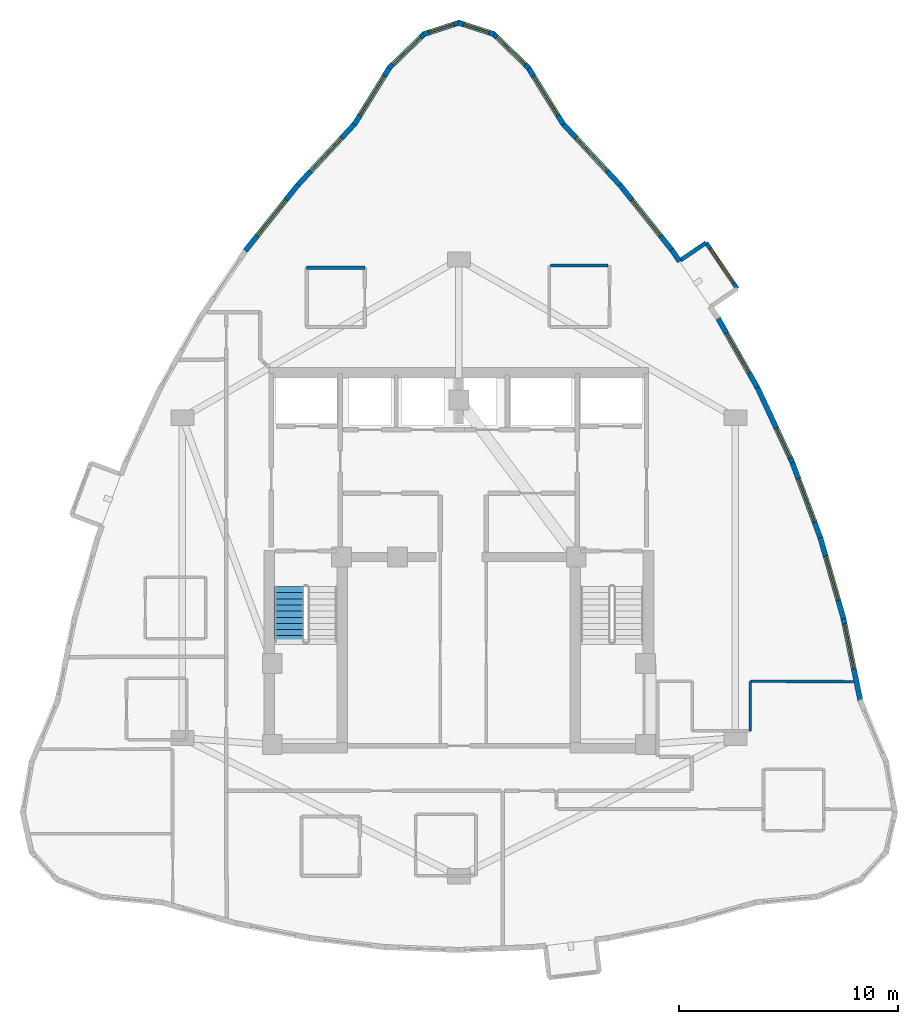
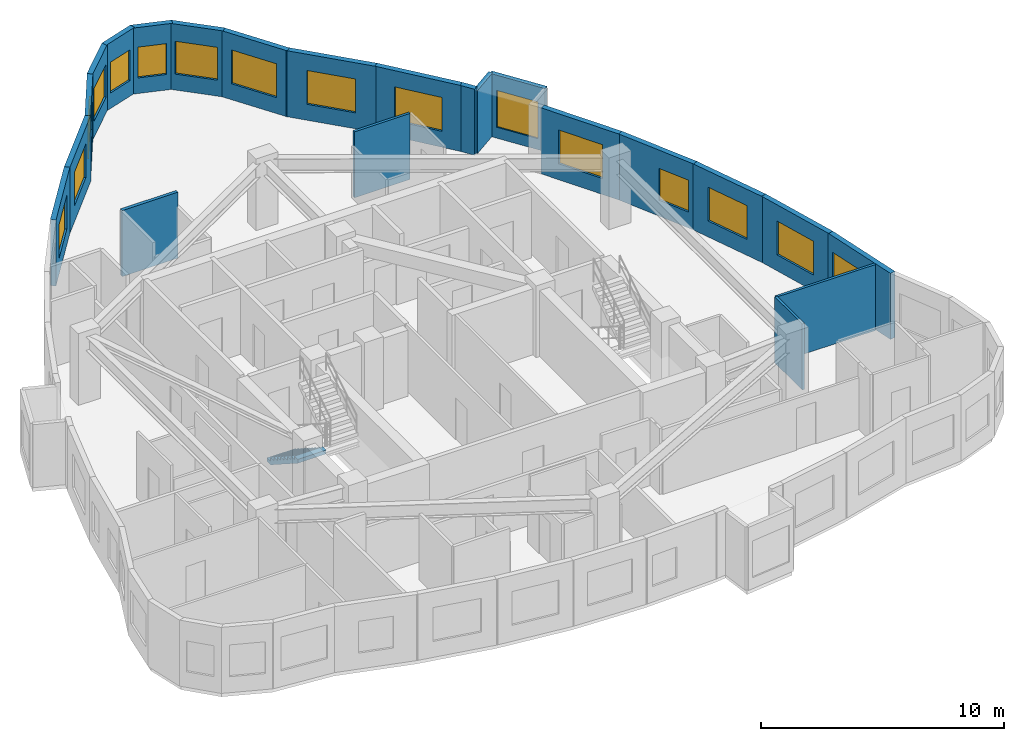
# One storey, part 10 of 12: 22 walls, 16 windows, 1 stair flight, 16 openings, 1 element without a shape of its own.
"""IFC4 building model written with IfcOpenShell, lengths in metres."""

import ifcopenshell
import ifcopenshell.guid

model = None  # the IFC model being written
_history = None  # IfcOwnerHistory: only IFC2X3 demands one
_inside = {}  # id of a spatial element -> (the spatial element, [elements in it])
_under = {}  # id of a project, library or spatial element -> (it, [spatial elements below it])
_declared = {}  # id of a project -> (the project, [libraries it declares])
_typed = {}  # id of a type object -> (the type object, [elements of that type])
_made_of = {}  # id of a material, layer set ... -> (it, [elements and type objects made of it])


def new_model(schema):
    """Start an empty IFC model of exactly this schema.

    Asked for "IFC4X3", IfcOpenShell would pick the latest addendum, in which some entities
    have other attributes; the version numbers below select the first issue.
    IFC2X3 requires an IfcOwnerHistory on every rooted entity: one is made here for all.
    """
    global model, _history
    if schema == "IFC4X3":
        model = ifcopenshell.file(schema_version=(4, 3, 0, 0))
    else:
        model = ifcopenshell.file(schema=schema)
    _inside.clear()
    _under.clear()
    _declared.clear()
    _typed.clear()
    _made_of.clear()
    _history = None
    if model.schema == "IFC2X3":
        org = make("IfcOrganization", Name="unknown")
        user = make(
            "IfcPersonAndOrganization",
            ThePerson=make("IfcPerson", FamilyName="unknown"),
            TheOrganization=org,
        )
        app = make(
            "IfcApplication",
            ApplicationDeveloper=org,
            Version="unknown",
            ApplicationFullName="unknown",
            ApplicationIdentifier="unknown",
        )
        _history = make(
            "IfcOwnerHistory",
            OwningUser=user,
            OwningApplication=app,
            ChangeAction="ADDED",
            CreationDate=0,
        )
    return model


def make(cls, **values):
    """One entity of the class cls with the attributes given. An attribute that is None is left unset."""
    return model.create_entity(
        cls, **{name: value for name, value in values.items() if value is not None}
    )


def rooted(cls, **values):
    """An entity with a GlobalId (a new one), such as an element, a storey or a relation."""
    return make(cls, GlobalId=ifcopenshell.guid.new(), OwnerHistory=_history, **values)


def si_unit(unit_type, name, prefix=None):
    """IfcSIUnit, for example si_unit("LENGTHUNIT", "METRE", prefix="MILLI")."""
    return make("IfcSIUnit", UnitType=unit_type, Prefix=prefix, Name=name)


def assignment(units):
    """IfcUnitAssignment: the units of a project."""
    return None if units is None else make("IfcUnitAssignment", Units=units)


def point(xyz):
    """IfcCartesianPoint."""
    return None if xyz is None else make("IfcCartesianPoint", Coordinates=xyz)


def direction(xyz):
    """IfcDirection."""
    return None if xyz is None else make("IfcDirection", DirectionRatios=xyz)


def frame(location, z_axis=None, x_axis=None):
    """IfcAxis2Placement3D, a coordinate frame: its origin and axes. An axis left out is left unset."""
    return make(
        "IfcAxis2Placement3D",
        Location=point(location),
        Axis=direction(z_axis),
        RefDirection=direction(x_axis),
    )


def frame_2d(location, x_axis=None):
    """IfcAxis2Placement2D, a coordinate frame in the plane: its origin and x axis."""
    return make(
        "IfcAxis2Placement2D", Location=point(location), RefDirection=direction(x_axis)
    )


def origin():
    """The frame at (0, 0, 0) with its axes left unset."""
    return frame((0.0, 0.0, 0.0))


def place(relative_to, where):
    """IfcLocalPlacement: puts the frame where relative to a parent placement (None: the world)."""
    return make(
        "IfcLocalPlacement", PlacementRelTo=relative_to, RelativePlacement=where
    )


def context(
    kind, dimensions, precision=None, world=None, true_north=None, identifier=None
):
    """IfcGeometricRepresentationContext, for example the 3D "Model" context."""
    return make(
        "IfcGeometricRepresentationContext",
        ContextIdentifier=identifier,
        ContextType=kind,
        CoordinateSpaceDimension=dimensions,
        Precision=precision,
        WorldCoordinateSystem=world,
        TrueNorth=true_north,
    )


def subcontext(parent, identifier, kind, view, scale=None):
    """IfcGeometricRepresentationSubContext, for example "Body" below "Model"."""
    return make(
        "IfcGeometricRepresentationSubContext",
        ContextIdentifier=identifier,
        ContextType=kind,
        ParentContext=parent,
        TargetScale=scale,
        TargetView=view,
    )


def project(units=None, contexts=None):
    """IfcProject with its units and contexts."""
    return rooted(
        "IfcProject",
        Name="project",
        RepresentationContexts=contexts,
        UnitsInContext=assignment(units),
    )


def spatial(cls, under=None, at=None, **own):
    """A site, building, storey or space (cls), placed at a placement, below another one or the project."""
    s = rooted(cls, ObjectPlacement=at, **own)
    if under is not None:
        _under.setdefault(under.id(), (under, []))[1].append(s)
    return s


def polyline(points):
    """IfcPolyline through the points."""
    return make("IfcPolyline", Points=[point(p) for p in points])


def profile(cls, at=None, kind="AREA", **sizes):
    """A parametric profile (cls). Its sizes go by their IFC names, for example OverallWidth=200.0."""
    return make(cls, ProfileType=kind, Position=at, **sizes)


def rectangle(**sizes):
    """IfcRectangleProfileDef."""
    return profile("IfcRectangleProfileDef", **sizes)


def outline(outer, holes=None, kind="AREA"):
    """IfcArbitraryClosedProfileDef: a profile drawn as a closed curve; with holes, ...WithVoids."""
    if holes is None:
        return make("IfcArbitraryClosedProfileDef", ProfileType=kind, OuterCurve=outer)
    return make(
        "IfcArbitraryProfileDefWithVoids",
        ProfileType=kind,
        OuterCurve=outer,
        InnerCurves=holes,
    )


def extrude(swept, where, along, depth):
    """IfcExtrudedAreaSolid: the profile swept, set in the frame where, extruded along a direction by depth."""
    return make(
        "IfcExtrudedAreaSolid",
        SweptArea=swept,
        Position=where,
        ExtrudedDirection=direction(along),
        Depth=depth,
    )


def shape(context_of_items, identifier, shape_type, items):
    """IfcShapeRepresentation: the items that make up one representation, for example the "Body"."""
    return make(
        "IfcShapeRepresentation",
        ContextOfItems=context_of_items,
        RepresentationIdentifier=identifier,
        RepresentationType=shape_type,
        Items=items,
    )


def material(Name=None, Category=None):
    """IfcMaterial."""
    return make("IfcMaterial", Name=Name, Category=Category)


def layer(
    of_material, thickness, ventilated=None, Name=None, Category=None, Priority=None
):
    """IfcMaterialLayer: one layer of a wall or slab, of a material (None: an air gap)."""
    return make(
        "IfcMaterialLayer",
        Material=of_material,
        LayerThickness=thickness,
        IsVentilated=ventilated,
        Name=Name,
        Category=Category,
        Priority=Priority,
    )


def layer_set(layers, Name=None):
    """IfcMaterialLayerSet."""
    return make("IfcMaterialLayerSet", MaterialLayers=layers, LayerSetName=Name)


def made_of(thing, what):
    """Note that an element or type object is made of a material, layer set ...; save() writes the relation."""
    if what is not None:
        _made_of.setdefault(what.id(), (what, []))[1].append(thing)
    return thing


def type_object(cls, material=None, **own):
    """A type object (cls), such as IfcWallType, which elements share."""
    return made_of(rooted(cls, **own), material)


def element(
    cls,
    number,
    at=None,
    inside=None,
    cuts=None,
    type_object=None,
    material=None,
    context=None,
    identifier="Body",
    shape_type=None,
    held_by="IfcProductDefinitionShape",
    body=None,
    shapes=None,
    **own,
):
    """One element of the class cls, such as IfcWall. Its Tag is "e" and its number.

    at: its placement. inside: the storey or other place that contains it. cuts: it is an
    opening in that element (IfcRelVoidsElement). A single representation is given by context,
    identifier, shape_type and body (its items); several are given by shapes. held_by: the class
    of the entity that holds the representations. save() writes the other relations.
    """
    e = rooted(cls, Tag="e%d" % number, ObjectPlacement=at, **own)
    if body is not None:
        shapes = [shape(context, identifier, shape_type, body)]
    if shapes is not None:
        e.Representation = make(held_by, Representations=shapes)
    if inside is not None:
        _inside.setdefault(inside.id(), (inside, []))[1].append(e)
    if cuts is not None:
        rooted(
            "IfcRelVoidsElement", RelatingBuildingElement=cuts, RelatedOpeningElement=e
        )
    if type_object is not None:
        _typed.setdefault(type_object.id(), (type_object, []))[1].append(e)
    return made_of(e, material)


def fill(opening, filler):
    """IfcRelFillsElement: the door or window that sits in an opening."""
    return rooted(
        "IfcRelFillsElement",
        RelatingOpeningElement=opening,
        RelatedBuildingElement=filler,
    )


def aggregate(whole, parts):
    """IfcRelAggregates: a whole, such as a stair, and the parts it consists of."""
    return rooted("IfcRelAggregates", RelatingObject=whole, RelatedObjects=parts)


def save(model, path):
    """Write the relations noted so far, then the file.

    IfcRelAggregates (storeys below a building ...), IfcRelContainedInSpatialStructure (elements
    in a storey), IfcRelDefinesByType, IfcRelAssociatesMaterial and IfcRelDeclares: one each for
    every whole, place, type object, material and project.
    """
    for whole, parts in _under.values():
        aggregate(whole, parts)
    for where, things in _inside.values():
        rooted(
            "IfcRelContainedInSpatialStructure",
            RelatedElements=things,
            RelatingStructure=where,
        )
    for kind, things in _typed.values():
        rooted("IfcRelDefinesByType", RelatedObjects=things, RelatingType=kind)
    for what, things in _made_of.values():
        rooted("IfcRelAssociatesMaterial", RelatedObjects=things, RelatingMaterial=what)
    for by, libraries in _declared.values():
        rooted("IfcRelDeclares", RelatingContext=by, RelatedDefinitions=libraries)
    model.write(path)


model = new_model("IFC4")

# Units and contexts
model_context = context("Model", 3, precision=1e-05, world=origin(), true_north=direction((0.0, 1.0)))
body_context = subcontext(model_context, "Body", "Model", "MODEL_VIEW")
ifc_project = project(units=[si_unit("LENGTHUNIT", "METRE"), si_unit("AREAUNIT", "SQUARE_METRE"), si_unit("VOLUMEUNIT", "CUBIC_METRE"), si_unit("PLANEANGLEUNIT", "RADIAN"), si_unit("MASSUNIT", "GRAM", prefix="KILO")], contexts=[model_context])

# Site, building, storey
site_placement = place(None, origin())
site = spatial("IfcSite", under=ifc_project, at=site_placement, CompositionType="ELEMENT")
building_placement = place(site_placement, origin())
building = spatial("IfcBuilding", under=site, at=building_placement, Name="Miruveldt Soraemaru", CompositionType="ELEMENT")
storey_placement = place(building_placement, frame((0.0, 0.0, 248.39990234375)))
storey = spatial("IfcBuildingStorey", under=building, at=storey_placement, Name="L68", CompositionType="ELEMENT", Elevation=248.39990234375)

# Wall
ifc_material_1 = material(Name="White powder-coated aluminium EN AW-6060 T6", Category="aluminium")
ifc_layer_1 = layer(ifc_material_1, 0.18994140625, Name="White powder-coated aluminium EN AW-6060 T6", Category="aluminium")
ifc_layer_set_1 = layer_set([ifc_layer_1], Name="White powder-coated aluminium EN AW-6060 T6")
wall_type_1 = type_object("IfcWallType", Name="WALL-BAY-ALU190", PredefinedType="SOLIDWALL", material=ifc_layer_set_1)
wall_1_placement = place(storey_placement, frame((55.26708984375, 58.369384765625, 0.0), z_axis=(0.0, 0.0, 1.0), x_axis=(-0.827862228344, -0.560931485016, 0.0)))
element("IfcWall", 1, at=wall_1_placement, inside=storey, type_object=wall_type_1, Name="L68 Bay Window Side Cheek 2R", PredefinedType="SOLIDWALL", context=body_context, shape_type="SweptSolid", body=[
    extrude(rectangle(XDim=1.425048828125, YDim=0.18994140625, at=frame_2d((0.71240234375, 0.0))), origin(), (0.0, 0.0, 1.0), 3.1650390625),
])

# Wall, opening, window
wall_2_placement = place(storey_placement, frame((56.68701171875, 56.27294921875, 0.0), z_axis=(0.0, 0.0, 1.0), x_axis=(-0.560782051963, 0.827963459457, 0.0)))
wall_2 = element("IfcWall", 2, at=wall_2_placement, inside=storey, type_object=wall_type_1, Name="L68 Bay Window Front Frame 2", PredefinedType="SOLIDWALL", context=body_context, shape_type="SweptSolid", body=[
    extrude(rectangle(XDim=2.531982421875, YDim=0.18994140625, at=frame_2d((1.26611328125, 0.0))), origin(), (0.0, 0.0, 1.0), 3.1650390625),
])
opening_1_placement = place(wall_2_placement, frame((0.31591796875, 0.0, 0.550048828125)))
opening_1 = element("IfcOpeningElement", 3, at=opening_1_placement, cuts=wall_2, Name="Opening WN-6", PredefinedType="OPENING", context=body_context, shape_type="SweptSolid", body=[
    extrude(rectangle(XDim=1.89990234375, YDim=1.85009765625, at=frame_2d((0.949951171875, 0.925048828125))), frame((0.0, 0.10498046875, 0.0), z_axis=(0.0, -1.0, 0.0), x_axis=(1.0, 0.0, 0.0)), (0.0, 0.0, 1.0), 0.2099609375),
])
ifc_material_2 = material(Name="Triple low-e insulated glazing", Category="glass")
window_type_1 = type_object("IfcWindowType", Name="WIN-BAYW-1900x1850", PartitioningType="SINGLE_PANEL", PredefinedType="WINDOW", material=ifc_material_2)
window_1_placement = place(opening_1_placement, origin())
window_1 = element("IfcWindow", 4, at=window_1_placement, inside=storey, type_object=window_type_1, Name="L68 Projecting Bay Window 2", OverallHeight=1.85009765625, OverallWidth=1.89990234375, PartitioningType="SINGLE_PANEL", PredefinedType="WINDOW", context=body_context, shape_type="SweptSolid", body=[
    extrude(rectangle(XDim=1.89990234375, YDim=1.85009765625, at=frame_2d((0.949951171875, 0.925048828125))), frame((0.0, 0.030029296875, 0.0), z_axis=(0.0, -1.0, 0.0), x_axis=(1.0, 0.0, 0.0)), (0.0, 0.0, 1.0), 0.06005859375),
])
fill(opening_1, window_1)

ifc_material_3 = material(Name="Precast concrete C45/55 (45 MPa)", Category="concrete")
ifc_layer_2 = layer(ifc_material_3, 0.239990234375, Name="Precast concrete C45/55 (45 MPa)", Category="concrete")
ifc_layer_set_2 = layer_set([ifc_layer_2], Name="Precast concrete C45/55 (45 MPa)")
wall_type_2 = type_object("IfcWallType", Name="WALL-EXT-PC240", PredefinedType="SOLIDWALL", material=ifc_layer_set_2)
wall_3_placement = place(storey_placement, frame((48.76171875, 63.760986328125, 0.0), z_axis=(0.0, 0.0, 1.0), x_axis=(-0.526075832391, 0.850437662956, 0.0)))
wall_3 = element("IfcWall", 5, at=wall_3_placement, inside=storey, type_object=wall_type_2, Name="L68 Precast Concrete Facade Wall 1", PredefinedType="SOLIDWALL", context=body_context, shape_type="SweptSolid", body=[
    extrude(rectangle(XDim=3.075439453125, YDim=0.239990234375, at=frame_2d((1.53759765625, 0.0))), origin(), (0.0, 0.0, 1.0), 3.315185546875),
])
opening_2_placement = place(wall_3_placement, frame((0.488037109375, 0.0, 0.800048828125)))
opening_2 = element("IfcOpeningElement", 6, at=opening_2_placement, cuts=wall_3, Name="Opening WN-1", PredefinedType="OPENING", context=body_context, shape_type="SweptSolid", body=[
    extrude(rectangle(XDim=2.10009765625, YDim=1.699951171875, at=frame_2d((1.050048828125, 0.85009765625))), frame((0.0, 0.1298828125, 0.0), z_axis=(0.0, -1.0, 0.0), x_axis=(1.0, 0.0, 0.0)), (0.0, 0.0, 1.0), 0.260009765625),
])
window_type_2 = type_object("IfcWindowType", Name="WIN-PUNCH-2100x1700", PartitioningType="SINGLE_PANEL", PredefinedType="WINDOW", material=ifc_material_2)
window_2_placement = place(opening_2_placement, origin())
window_2 = element("IfcWindow", 7, at=window_2_placement, inside=storey, type_object=window_type_2, Name="L68 Punched Triple-Glazed Window 01.1", OverallHeight=1.699951171875, OverallWidth=2.10009765625, PartitioningType="SINGLE_PANEL", PredefinedType="WINDOW", context=body_context, shape_type="SweptSolid", body=[
    extrude(rectangle(XDim=2.10009765625, YDim=1.699951171875, at=frame_2d((1.050048828125, 0.85009765625))), frame((0.0, 0.030029296875, 0.0), z_axis=(0.0, -1.0, 0.0), x_axis=(1.0, 0.0, 0.0)), (0.0, 0.0, 1.0), 0.06005859375),
])
fill(opening_2, window_2)

wall_4_placement = place(storey_placement, frame((47.187255859375, 66.322265625, 0.0), z_axis=(0.0, 0.0, 1.0), x_axis=(-0.717820670807, 0.696228040632, 0.0)))
wall_4 = element("IfcWall", 8, at=wall_4_placement, inside=storey, type_object=wall_type_2, Name="L68 Precast Concrete Facade Wall 2", PredefinedType="SOLIDWALL", context=body_context, shape_type="SweptSolid", body=[
    extrude(rectangle(XDim=2.272705078125, YDim=0.239990234375, at=frame_2d((1.13623046875, 0.0))), origin(), (0.0, 0.0, 1.0), 3.315185546875),
])
opening_3_placement = place(wall_4_placement, frame((0.237060546875, 0.0, 0.800048828125)))
opening_3 = element("IfcOpeningElement", 9, at=opening_3_placement, cuts=wall_4, Name="Opening WN-2", PredefinedType="OPENING", context=body_context, shape_type="SweptSolid", body=[
    extrude(rectangle(XDim=1.800048828125, YDim=1.64990234375, at=frame_2d((0.89990234375, 0.824951171875))), frame((0.0, 0.1298828125, 0.0), z_axis=(0.0, -1.0, 0.0), x_axis=(1.0, 0.0, 0.0)), (0.0, 0.0, 1.0), 0.260009765625),
])
window_type_3 = type_object("IfcWindowType", Name="WIN-PUNCH-1800x1650", PartitioningType="SINGLE_PANEL", PredefinedType="WINDOW", material=ifc_material_2)
window_3_placement = place(opening_3_placement, origin())
window_3 = element("IfcWindow", 10, at=window_3_placement, inside=storey, type_object=window_type_3, Name="L68 Punched Triple-Glazed Window 02.1", OverallHeight=1.64990234375, OverallWidth=1.800048828125, PartitioningType="SINGLE_PANEL", PredefinedType="WINDOW", context=body_context, shape_type="SweptSolid", body=[
    extrude(rectangle(XDim=1.800048828125, YDim=1.64990234375, at=frame_2d((0.89990234375, 0.824951171875))), frame((0.0, 0.030029296875, 0.0), z_axis=(0.0, -1.0, 0.0), x_axis=(1.0, 0.0, 0.0)), (0.0, 0.0, 1.0), 0.06005859375),
])
fill(opening_3, window_3)

wall_5_placement = place(storey_placement, frame((45.614501953125, 67.869384765625, 0.0), z_axis=(0.0, 0.0, 1.0), x_axis=(-0.951506435453, 0.307628840148, 0.0)))
wall_5 = element("IfcWall", 11, at=wall_5_placement, inside=storey, type_object=wall_type_2, Name="L68 Precast Concrete Facade Wall 3", PredefinedType="SOLIDWALL", context=body_context, shape_type="SweptSolid", body=[
    extrude(rectangle(XDim=1.731689453125, YDim=0.239990234375, at=frame_2d((0.86572265625, 0.0))), origin(), (0.0, 0.0, 1.0), 3.315185546875),
])
opening_4_placement = place(wall_5_placement, frame((0.26611328125, 0.0, 0.780029296875)))
opening_4 = element("IfcOpeningElement", 12, at=opening_4_placement, cuts=wall_5, Name="Opening WN-4", PredefinedType="OPENING", context=body_context, shape_type="SweptSolid", body=[
    extrude(rectangle(XDim=1.199951171875, YDim=1.550048828125, at=frame_2d((0.60009765625, 0.77490234375))), frame((0.0, 0.1298828125, 0.0), z_axis=(0.0, -1.0, 0.0), x_axis=(1.0, 0.0, 0.0)), (0.0, 0.0, 1.0), 0.260009765625),
])
window_type_4 = type_object("IfcWindowType", Name="WIN-PUNCH-1200x1550", PartitioningType="SINGLE_PANEL", PredefinedType="WINDOW", material=ifc_material_2)
window_4_placement = place(opening_4_placement, origin())
window_4 = element("IfcWindow", 13, at=window_4_placement, inside=storey, type_object=window_type_4, Name="L68 Punched Triple-Glazed Window 03.1", OverallHeight=1.550048828125, OverallWidth=1.199951171875, PartitioningType="SINGLE_PANEL", PredefinedType="WINDOW", context=body_context, shape_type="SweptSolid", body=[
    extrude(rectangle(XDim=1.199951171875, YDim=1.550048828125, at=frame_2d((0.60009765625, 0.77490234375))), frame((0.0, 0.030029296875, 0.0), z_axis=(0.0, -1.0, 0.0), x_axis=(1.0, 0.0, 0.0)), (0.0, 0.0, 1.0), 0.06005859375),
])
fill(opening_4, window_4)

wall_6_placement = place(storey_placement, frame((44.033203125, 68.402099609375, 0.0), z_axis=(0.0, 0.0, 1.0), x_axis=(-0.951506435453, -0.307628840148, 0.0)))
wall_6 = element("IfcWall", 14, at=wall_6_placement, inside=storey, type_object=wall_type_2, Name="L68 Precast Concrete Facade Wall 4", PredefinedType="SOLIDWALL", context=body_context, shape_type="SweptSolid", body=[
    extrude(rectangle(XDim=1.731689453125, YDim=0.239990234375, at=frame_2d((0.86572265625, 0.0))), origin(), (0.0, 0.0, 1.0), 3.315185546875),
])
opening_5_placement = place(wall_6_placement, frame((0.26611328125, 0.0, 0.780029296875)))
opening_5 = element("IfcOpeningElement", 15, at=opening_5_placement, cuts=wall_6, Name="Opening WN-4", PredefinedType="OPENING", context=body_context, shape_type="SweptSolid", body=[
    extrude(rectangle(XDim=1.199951171875, YDim=1.550048828125, at=frame_2d((0.60009765625, 0.77490234375))), frame((0.0, 0.1298828125, 0.0), z_axis=(0.0, -1.0, 0.0), x_axis=(1.0, 0.0, 0.0)), (0.0, 0.0, 1.0), 0.260009765625),
])
window_5_placement = place(opening_5_placement, origin())
window_5 = element("IfcWindow", 16, at=window_5_placement, inside=storey, type_object=window_type_4, Name="L68 Punched Triple-Glazed Window 04.1", OverallHeight=1.550048828125, OverallWidth=1.199951171875, PartitioningType="SINGLE_PANEL", PredefinedType="WINDOW", context=body_context, shape_type="SweptSolid", body=[
    extrude(rectangle(XDim=1.199951171875, YDim=1.550048828125, at=frame_2d((0.60009765625, 0.77490234375))), frame((0.0, 0.030029296875, 0.0), z_axis=(0.0, -1.0, 0.0), x_axis=(1.0, 0.0, 0.0)), (0.0, 0.0, 1.0), 0.06005859375),
])
fill(opening_5, window_5)

wall_7_placement = place(storey_placement, frame((42.444091796875, 67.904541015625, 0.0), z_axis=(0.0, 0.0, 1.0), x_axis=(-0.717820670807, -0.696228040632, 0.0)))
wall_7 = element("IfcWall", 17, at=wall_7_placement, inside=storey, type_object=wall_type_2, Name="L68 Precast Concrete Facade Wall 5", PredefinedType="SOLIDWALL", context=body_context, shape_type="SweptSolid", body=[
    extrude(rectangle(XDim=2.272705078125, YDim=0.239990234375, at=frame_2d((1.13623046875, 0.0))), origin(), (0.0, 0.0, 1.0), 3.315185546875),
])
opening_6_placement = place(wall_7_placement, frame((0.237060546875, 0.0, 0.800048828125)))
opening_6 = element("IfcOpeningElement", 18, at=opening_6_placement, cuts=wall_7, Name="Opening WN-2", PredefinedType="OPENING", context=body_context, shape_type="SweptSolid", body=[
    extrude(rectangle(XDim=1.800048828125, YDim=1.64990234375, at=frame_2d((0.89990234375, 0.824951171875))), frame((0.0, 0.1298828125, 0.0), z_axis=(0.0, -1.0, 0.0), x_axis=(1.0, 0.0, 0.0)), (0.0, 0.0, 1.0), 0.260009765625),
])
window_6_placement = place(opening_6_placement, origin())
window_6 = element("IfcWindow", 19, at=window_6_placement, inside=storey, type_object=window_type_3, Name="L68 Punched Triple-Glazed Window 05.1", OverallHeight=1.64990234375, OverallWidth=1.800048828125, PartitioningType="SINGLE_PANEL", PredefinedType="WINDOW", context=body_context, shape_type="SweptSolid", body=[
    extrude(rectangle(XDim=1.800048828125, YDim=1.64990234375, at=frame_2d((0.89990234375, 0.824951171875))), frame((0.0, 0.030029296875, 0.0), z_axis=(0.0, -1.0, 0.0), x_axis=(1.0, 0.0, 0.0)), (0.0, 0.0, 1.0), 0.06005859375),
])
fill(opening_6, window_6)

wall_8_placement = place(storey_placement, frame((40.856201171875, 66.37646484375, 0.0), z_axis=(0.0, 0.0, 1.0), x_axis=(-0.526075832391, -0.850437662956, 0.0)))
wall_8 = element("IfcWall", 20, at=wall_8_placement, inside=storey, type_object=wall_type_2, Name="L68 Precast Concrete Facade Wall 6", PredefinedType="SOLIDWALL", context=body_context, shape_type="SweptSolid", body=[
    extrude(rectangle(XDim=3.075439453125, YDim=0.239990234375, at=frame_2d((1.53759765625, 0.0))), origin(), (0.0, 0.0, 1.0), 3.315185546875),
])
opening_7_placement = place(wall_8_placement, frame((0.488037109375, 0.0, 0.800048828125)))
opening_7 = element("IfcOpeningElement", 21, at=opening_7_placement, cuts=wall_8, Name="Opening WN-1", PredefinedType="OPENING", context=body_context, shape_type="SweptSolid", body=[
    extrude(rectangle(XDim=2.10009765625, YDim=1.699951171875, at=frame_2d((1.050048828125, 0.85009765625))), frame((0.0, 0.1298828125, 0.0), z_axis=(0.0, -1.0, 0.0), x_axis=(1.0, 0.0, 0.0)), (0.0, 0.0, 1.0), 0.260009765625),
])
window_7_placement = place(opening_7_placement, origin())
window_7 = element("IfcWindow", 22, at=window_7_placement, inside=storey, type_object=window_type_2, Name="L68 Punched Triple-Glazed Window 06.1", OverallHeight=1.699951171875, OverallWidth=2.10009765625, PartitioningType="SINGLE_PANEL", PredefinedType="WINDOW", context=body_context, shape_type="SweptSolid", body=[
    extrude(rectangle(XDim=2.10009765625, YDim=1.699951171875, at=frame_2d((1.050048828125, 0.85009765625))), frame((0.0, 0.030029296875, 0.0), z_axis=(0.0, -1.0, 0.0), x_axis=(1.0, 0.0, 0.0)), (0.0, 0.0, 1.0), 0.06005859375),
])
fill(opening_7, window_7)

wall_9_placement = place(storey_placement, frame((39.280517578125, 63.81640625, 0.0), z_axis=(0.0, 0.0, 1.0), x_axis=(-0.680839125865, -0.732432989898, 0.0)))
wall_9 = element("IfcWall", 23, at=wall_9_placement, inside=storey, type_object=wall_type_2, Name="L68 Precast Concrete Facade Wall 7", PredefinedType="SOLIDWALL", context=body_context, shape_type="SweptSolid", body=[
    extrude(rectangle(XDim=3.90869140625, YDim=0.239990234375, at=frame_2d((1.954345703125, 0.0))), origin(), (0.0, 0.0, 1.0), 3.315185546875),
])
opening_8_placement = place(wall_9_placement, frame((0.905029296875, 0.0, 0.800048828125)))
opening_8 = element("IfcOpeningElement", 24, at=opening_8_placement, cuts=wall_9, Name="Opening WN-1", PredefinedType="OPENING", context=body_context, shape_type="SweptSolid", body=[
    extrude(rectangle(XDim=2.10009765625, YDim=1.699951171875, at=frame_2d((1.050048828125, 0.85009765625))), frame((0.0, 0.1298828125, 0.0), z_axis=(0.0, -1.0, 0.0), x_axis=(1.0, 0.0, 0.0)), (0.0, 0.0, 1.0), 0.260009765625),
])
window_8_placement = place(opening_8_placement, origin())
window_8 = element("IfcWindow", 25, at=window_8_placement, inside=storey, type_object=window_type_2, Name="L68 Punched Triple-Glazed Window 07.1", OverallHeight=1.699951171875, OverallWidth=2.10009765625, PartitioningType="SINGLE_PANEL", PredefinedType="WINDOW", context=body_context, shape_type="SweptSolid", body=[
    extrude(rectangle(XDim=2.10009765625, YDim=1.699951171875, at=frame_2d((1.050048828125, 0.85009765625))), frame((0.0, 0.030029296875, 0.0), z_axis=(0.0, -1.0, 0.0), x_axis=(1.0, 0.0, 0.0)), (0.0, 0.0, 1.0), 0.06005859375),
])
fill(opening_8, window_8)

wall_10_placement = place(storey_placement, frame((36.664794921875, 61.006591796875, 0.0), z_axis=(0.0, 0.0, 1.0), x_axis=(-0.623570045593, -0.781767483488, 0.0)))
wall_10 = element("IfcWall", 26, at=wall_10_placement, inside=storey, type_object=wall_type_2, Name="L68 Precast Concrete Facade Wall 8", PredefinedType="SOLIDWALL", context=body_context, shape_type="SweptSolid", body=[
    extrude(rectangle(XDim=3.839599609375, YDim=0.239990234375, at=frame_2d((1.919921875, 0.0))), origin(), (0.0, 0.0, 1.0), 3.315185546875),
])
opening_9_placement = place(wall_10_placement, frame((0.8701171875, 0.0, 0.800048828125)))
opening_9 = element("IfcOpeningElement", 27, at=opening_9_placement, cuts=wall_10, Name="Opening WN-1", PredefinedType="OPENING", context=body_context, shape_type="SweptSolid", body=[
    extrude(rectangle(XDim=2.10009765625, YDim=1.699951171875, at=frame_2d((1.050048828125, 0.85009765625))), frame((0.0, 0.1298828125, 0.0), z_axis=(0.0, -1.0, 0.0), x_axis=(1.0, 0.0, 0.0)), (0.0, 0.0, 1.0), 0.260009765625),
])
window_9_placement = place(opening_9_placement, origin())
window_9 = element("IfcWindow", 28, at=window_9_placement, inside=storey, type_object=window_type_2, Name="L68 Punched Triple-Glazed Window 08.1", OverallHeight=1.699951171875, OverallWidth=2.10009765625, PartitioningType="SINGLE_PANEL", PredefinedType="WINDOW", context=body_context, shape_type="SweptSolid", body=[
    extrude(rectangle(XDim=2.10009765625, YDim=1.699951171875, at=frame_2d((1.050048828125, 0.85009765625))), frame((0.0, 0.030029296875, 0.0), z_axis=(0.0, -1.0, 0.0), x_axis=(1.0, 0.0, 0.0)), (0.0, 0.0, 1.0), 0.06005859375),
])
fill(opening_9, window_9)

wall_11_placement = place(storey_placement, frame((62.30029296875, 37.470947265625, 0.0), z_axis=(0.0, 0.0, 1.0), x_axis=(-0.201614149956, 0.979465024663, 0.0)))
wall_11 = element("IfcWall", 29, at=wall_11_placement, inside=storey, type_object=wall_type_2, Name="L68 Precast Concrete Facade Wall 35", PredefinedType="SOLIDWALL", context=body_context, shape_type="SweptSolid", body=[
    extrude(rectangle(XDim=3.908935546875, YDim=0.239990234375, at=frame_2d((1.95458984375, 0.0))), origin(), (0.0, 0.0, 1.0), 3.315185546875),
])
opening_10_placement = place(wall_11_placement, frame((1.498046875, 0.0, 0.800048828125)))
opening_10 = element("IfcOpeningElement", 30, at=opening_10_placement, cuts=wall_11, Name="Opening WN-1", PredefinedType="OPENING", context=body_context, shape_type="SweptSolid", body=[
    extrude(rectangle(XDim=2.10009765625, YDim=1.699951171875, at=frame_2d((1.050048828125, 0.85009765625))), frame((0.0, 0.1298828125, 0.0), z_axis=(0.0, -1.0, 0.0), x_axis=(1.0, 0.0, 0.0)), (0.0, 0.0, 1.0), 0.260009765625),
])
window_10_placement = place(opening_10_placement, origin())
window_10 = element("IfcWindow", 31, at=window_10_placement, inside=storey, type_object=window_type_2, Name="L68 Punched Triple-Glazed Window 35.1", OverallHeight=1.699951171875, OverallWidth=2.10009765625, PartitioningType="SINGLE_PANEL", PredefinedType="WINDOW", context=body_context, shape_type="SweptSolid", body=[
    extrude(rectangle(XDim=2.10009765625, YDim=1.699951171875, at=frame_2d((1.050048828125, 0.85009765625))), frame((0.0, 0.030029296875, 0.0), z_axis=(0.0, -1.0, 0.0), x_axis=(1.0, 0.0, 0.0)), (0.0, 0.0, 1.0), 0.06005859375),
])
fill(opening_10, window_10)

wall_12_placement = place(storey_placement, frame((61.529052734375, 41.2314453125, 0.0), z_axis=(0.0, 0.0, 1.0), x_axis=(-0.274981433987, 0.961449536358, 0.0)))
wall_12 = element("IfcWall", 32, at=wall_12_placement, inside=storey, type_object=wall_type_2, Name="L68 Precast Concrete Facade Wall 36", PredefinedType="SOLIDWALL", context=body_context, shape_type="SweptSolid", body=[
    extrude(rectangle(XDim=3.83984375, YDim=0.239990234375, at=frame_2d((1.919921875, 0.0))), origin(), (0.0, 0.0, 1.0), 3.315185546875),
])
opening_11_placement = place(wall_12_placement, frame((0.8701171875, 0.0, 0.800048828125)))
opening_11 = element("IfcOpeningElement", 33, at=opening_11_placement, cuts=wall_12, Name="Opening WN-1", PredefinedType="OPENING", context=body_context, shape_type="SweptSolid", body=[
    extrude(rectangle(XDim=2.10009765625, YDim=1.699951171875, at=frame_2d((1.050048828125, 0.85009765625))), frame((0.0, 0.1298828125, 0.0), z_axis=(0.0, -1.0, 0.0), x_axis=(1.0, 0.0, 0.0)), (0.0, 0.0, 1.0), 0.260009765625),
])
window_11_placement = place(opening_11_placement, origin())
window_11 = element("IfcWindow", 34, at=window_11_placement, inside=storey, type_object=window_type_2, Name="L68 Punched Triple-Glazed Window 36.1", OverallHeight=1.699951171875, OverallWidth=2.10009765625, PartitioningType="SINGLE_PANEL", PredefinedType="WINDOW", context=body_context, shape_type="SweptSolid", body=[
    extrude(rectangle(XDim=2.10009765625, YDim=1.699951171875, at=frame_2d((1.050048828125, 0.85009765625))), frame((0.0, 0.030029296875, 0.0), z_axis=(0.0, -1.0, 0.0), x_axis=(1.0, 0.0, 0.0)), (0.0, 0.0, 1.0), 0.06005859375),
])
fill(opening_11, window_11)

wall_13_placement = place(storey_placement, frame((60.4951171875, 44.856689453125, 0.0), z_axis=(0.0, 0.0, 1.0), x_axis=(-0.349034773349, 0.937109773182, 0.0)))
wall_13 = element("IfcWall", 35, at=wall_13_placement, inside=storey, type_object=wall_type_2, Name="L68 Precast Concrete Facade Wall 37", PredefinedType="SOLIDWALL", context=body_context, shape_type="SweptSolid", body=[
    extrude(rectangle(XDim=3.793212890625, YDim=0.239990234375, at=frame_2d((1.896484375, 0.0))), origin(), (0.0, 0.0, 1.0), 3.315185546875),
])
opening_12_placement = place(wall_13_placement, frame((0.846923828125, 0.0, 0.800048828125)))
opening_12 = element("IfcOpeningElement", 36, at=opening_12_placement, cuts=wall_13, Name="Opening WN-1", PredefinedType="OPENING", context=body_context, shape_type="SweptSolid", body=[
    extrude(rectangle(XDim=2.10009765625, YDim=1.699951171875, at=frame_2d((1.050048828125, 0.85009765625))), frame((0.0, 0.1298828125, 0.0), z_axis=(0.0, -1.0, 0.0), x_axis=(1.0, 0.0, 0.0)), (0.0, 0.0, 1.0), 0.260009765625),
])
window_12_placement = place(opening_12_placement, origin())
window_12 = element("IfcWindow", 37, at=window_12_placement, inside=storey, type_object=window_type_2, Name="L68 Punched Triple-Glazed Window 37.1", OverallHeight=1.699951171875, OverallWidth=2.10009765625, PartitioningType="SINGLE_PANEL", PredefinedType="WINDOW", context=body_context, shape_type="SweptSolid", body=[
    extrude(rectangle(XDim=2.10009765625, YDim=1.699951171875, at=frame_2d((1.050048828125, 0.85009765625))), frame((0.0, 0.030029296875, 0.0), z_axis=(0.0, -1.0, 0.0), x_axis=(1.0, 0.0, 0.0)), (0.0, 0.0, 1.0), 0.06005859375),
])
fill(opening_12, window_12)

wall_14_placement = place(storey_placement, frame((59.197998046875, 48.346923828125, 0.0), z_axis=(0.0, 0.0, 1.0), x_axis=(-0.422300319824, 0.906455977903, 0.0)))
wall_14 = element("IfcWall", 38, at=wall_14_placement, inside=storey, type_object=wall_type_2, Name="L68 Precast Concrete Facade Wall 38", PredefinedType="SOLIDWALL", context=body_context, shape_type="SweptSolid", body=[
    extrude(rectangle(XDim=3.769287109375, YDim=0.239990234375, at=frame_2d((1.884765625, 0.0))), origin(), (0.0, 0.0, 1.0), 3.315185546875),
])
opening_13_placement = place(wall_14_placement, frame((0.243896484375, 0.0, 0.800048828125)))
opening_13 = element("IfcOpeningElement", 39, at=opening_13_placement, cuts=wall_14, Name="Opening WN-3", PredefinedType="OPENING", context=body_context, shape_type="SweptSolid", body=[
    extrude(rectangle(XDim=1.5, YDim=1.60009765625, at=frame_2d((0.75, 0.800048828125))), frame((0.0, 0.1298828125, 0.0), z_axis=(0.0, -1.0, 0.0), x_axis=(1.0, 0.0, 0.0)), (0.0, 0.0, 1.0), 0.260009765625),
])
window_type_5 = type_object("IfcWindowType", Name="WIN-PUNCH-1500x1600", PartitioningType="SINGLE_PANEL", PredefinedType="WINDOW", material=ifc_material_2)
window_13_placement = place(opening_13_placement, origin())
window_13 = element("IfcWindow", 40, at=window_13_placement, inside=storey, type_object=window_type_5, Name="L68 Punched Triple-Glazed Window 38.1", OverallHeight=1.60009765625, OverallWidth=1.5, PartitioningType="SINGLE_PANEL", PredefinedType="WINDOW", context=body_context, shape_type="SweptSolid", body=[
    extrude(rectangle(XDim=1.5, YDim=1.60009765625, at=frame_2d((0.75, 0.800048828125))), frame((0.0, 0.030029296875, 0.0), z_axis=(0.0, -1.0, 0.0), x_axis=(1.0, 0.0, 0.0)), (0.0, 0.0, 1.0), 0.06005859375),
])
fill(opening_13, window_13)

wall_15_placement = place(storey_placement, frame((57.63818359375, 51.70166015625, 0.0), z_axis=(0.0, 0.0, 1.0), x_axis=(-0.49336716915, 0.869821151965, 0.0)))
wall_15 = element("IfcWall", 41, at=wall_15_placement, inside=storey, type_object=wall_type_2, Name="L68 Precast Concrete Facade Wall 39", PredefinedType="SOLIDWALL", context=body_context, shape_type="SweptSolid", body=[
    extrude(rectangle(XDim=3.769287109375, YDim=0.239990234375, at=frame_2d((1.884765625, 0.0))), origin(), (0.0, 0.0, 1.0), 3.315185546875),
])
opening_14_placement = place(wall_15_placement, frame((0.8349609375, 0.0, 0.800048828125)))
opening_14 = element("IfcOpeningElement", 42, at=opening_14_placement, cuts=wall_15, Name="Opening WN-1", PredefinedType="OPENING", context=body_context, shape_type="SweptSolid", body=[
    extrude(rectangle(XDim=2.10009765625, YDim=1.699951171875, at=frame_2d((1.050048828125, 0.85009765625))), frame((0.0, 0.1298828125, 0.0), z_axis=(0.0, -1.0, 0.0), x_axis=(1.0, 0.0, 0.0)), (0.0, 0.0, 1.0), 0.260009765625),
])
window_14_placement = place(opening_14_placement, origin())
window_14 = element("IfcWindow", 43, at=window_14_placement, inside=storey, type_object=window_type_2, Name="L68 Punched Triple-Glazed Window 39.1", OverallHeight=1.699951171875, OverallWidth=2.10009765625, PartitioningType="SINGLE_PANEL", PredefinedType="WINDOW", context=body_context, shape_type="SweptSolid", body=[
    extrude(rectangle(XDim=2.10009765625, YDim=1.699951171875, at=frame_2d((1.050048828125, 0.85009765625))), frame((0.0, 0.030029296875, 0.0), z_axis=(0.0, -1.0, 0.0), x_axis=(1.0, 0.0, 0.0)), (0.0, 0.0, 1.0), 0.06005859375),
])
fill(opening_14, window_14)

# Wall
wall_16_placement = place(storey_placement, frame((54.05859375, 57.514404296875, 0.0), z_axis=(0.0, 0.0, 1.0), x_axis=(-0.560741889202, 0.827990660391, 0.0)))
element("IfcWall", 44, at=wall_16_placement, inside=storey, type_object=wall_type_2, Name="L68 Precast Pier Wall 40B", PredefinedType="SOLIDWALL", context=body_context, shape_type="SweptSolid", body=[
    extrude(rectangle(XDim=0.660400390625, YDim=0.239990234375, at=frame_2d((0.330078125, 0.0))), origin(), (0.0, 0.0, 1.0), 3.315185546875),
])

# Wall, opening, window
wall_17_placement = place(storey_placement, frame((53.7294921875, 58.0048828125, 0.0), z_axis=(0.0, 0.0, 1.0), x_axis=(-0.623570045593, 0.781767483488, 0.0)))
wall_17 = element("IfcWall", 45, at=wall_17_placement, inside=storey, type_object=wall_type_2, Name="L68 Precast Concrete Facade Wall 41", PredefinedType="SOLIDWALL", context=body_context, shape_type="SweptSolid", body=[
    extrude(rectangle(XDim=3.839599609375, YDim=0.239990234375, at=frame_2d((1.919921875, 0.0))), origin(), (0.0, 0.0, 1.0), 3.315185546875),
])
opening_15_placement = place(wall_17_placement, frame((0.8701171875, 0.0, 0.800048828125)))
opening_15 = element("IfcOpeningElement", 46, at=opening_15_placement, cuts=wall_17, Name="Opening WN-1", PredefinedType="OPENING", context=body_context, shape_type="SweptSolid", body=[
    extrude(rectangle(XDim=2.10009765625, YDim=1.699951171875, at=frame_2d((1.050048828125, 0.85009765625))), frame((0.0, 0.1298828125, 0.0), z_axis=(0.0, -1.0, 0.0), x_axis=(1.0, 0.0, 0.0)), (0.0, 0.0, 1.0), 0.260009765625),
])
window_15_placement = place(opening_15_placement, origin())
window_15 = element("IfcWindow", 47, at=window_15_placement, inside=storey, type_object=window_type_2, Name="L68 Punched Triple-Glazed Window 41.1", OverallHeight=1.699951171875, OverallWidth=2.10009765625, PartitioningType="SINGLE_PANEL", PredefinedType="WINDOW", context=body_context, shape_type="SweptSolid", body=[
    extrude(rectangle(XDim=2.10009765625, YDim=1.699951171875, at=frame_2d((1.050048828125, 0.85009765625))), frame((0.0, 0.030029296875, 0.0), z_axis=(0.0, -1.0, 0.0), x_axis=(1.0, 0.0, 0.0)), (0.0, 0.0, 1.0), 0.06005859375),
])
fill(opening_15, window_15)

wall_18_placement = place(storey_placement, frame((51.380615234375, 60.95361328125, 0.0), z_axis=(0.0, 0.0, 1.0), x_axis=(-0.680839125865, 0.732432989898, 0.0)))
wall_18 = element("IfcWall", 48, at=wall_18_placement, inside=storey, type_object=wall_type_2, Name="L68 Precast Concrete Facade Wall 42", PredefinedType="SOLIDWALL", context=body_context, shape_type="SweptSolid", body=[
    extrude(rectangle(XDim=3.90869140625, YDim=0.239990234375, at=frame_2d((1.954345703125, 0.0))), origin(), (0.0, 0.0, 1.0), 3.315185546875),
])
opening_16_placement = place(wall_18_placement, frame((0.905029296875, 0.0, 0.800048828125)))
opening_16 = element("IfcOpeningElement", 49, at=opening_16_placement, cuts=wall_18, Name="Opening WN-1", PredefinedType="OPENING", context=body_context, shape_type="SweptSolid", body=[
    extrude(rectangle(XDim=2.10009765625, YDim=1.699951171875, at=frame_2d((1.050048828125, 0.85009765625))), frame((0.0, 0.1298828125, 0.0), z_axis=(0.0, -1.0, 0.0), x_axis=(1.0, 0.0, 0.0)), (0.0, 0.0, 1.0), 0.260009765625),
])
window_16_placement = place(opening_16_placement, origin())
window_16 = element("IfcWindow", 50, at=window_16_placement, inside=storey, type_object=window_type_2, Name="L68 Punched Triple-Glazed Window 42.1", OverallHeight=1.699951171875, OverallWidth=2.10009765625, PartitioningType="SINGLE_PANEL", PredefinedType="WINDOW", context=body_context, shape_type="SweptSolid", body=[
    extrude(rectangle(XDim=2.10009765625, YDim=1.699951171875, at=frame_2d((1.050048828125, 0.85009765625))), frame((0.0, 0.030029296875, 0.0), z_axis=(0.0, -1.0, 0.0), x_axis=(1.0, 0.0, 0.0)), (0.0, 0.0, 1.0), 0.06005859375),
])
fill(opening_16, window_16)

# Walls
ifc_material_4 = material(Name="Gypsum plasterboard lining", Category="gypsum")
ifc_layer_3 = layer(ifc_material_4, 0.1201171875, Name="Gypsum plasterboard lining", Category="gypsum")
ifc_layer_set_3 = layer_set([ifc_layer_3], Name="Gypsum plasterboard lining")
wall_type_3 = type_object("IfcWallType", Name="WALL-INT-P120", PredefinedType="PARTITIONING", material=ifc_layer_set_3)
wall_19_placement = place(storey_placement, frame((57.280029296875, 38.381103515625, 0.0), z_axis=(0.0, 0.0, 1.0), x_axis=(0.999997264553, -0.00233899251, 0.0)))
element("IfcWall", 51, at=wall_19_placement, inside=storey, type_object=wall_type_3, Name="L68 Partition Wall 58", PredefinedType="PARTITIONING", context=body_context, shape_type="SweptSolid", body=[
    extrude(rectangle(XDim=4.697021484375, YDim=0.1201171875, at=frame_2d((2.3486328125, 0.0))), origin(), (0.0, 0.0, 1.0), 3.315185546875),
])
wall_20_placement = place(storey_placement, frame((50.802001953125, 57.330078125, 0.0), z_axis=(0.0, 0.0, 1.0), x_axis=(-1.0, 0.0, 0.0)))
element("IfcWall", 52, at=wall_20_placement, inside=storey, type_object=wall_type_3, Name="L68 Partition Wall 17", PredefinedType="PARTITIONING", context=body_context, shape_type="SweptSolid", body=[
    extrude(rectangle(XDim=2.6298828125, YDim=0.1201171875, at=frame_2d((1.31494140625, 0.0))), origin(), (0.0, 0.0, 1.0), 3.315185546875),
])
wall_21_placement = place(storey_placement, frame((57.280029296875, 36.1279296875, 0.0), z_axis=(0.0, 0.0, 1.0), x_axis=(0.0, 1.0, 0.0)))
element("IfcWall", 53, at=wall_21_placement, inside=storey, type_object=wall_type_3, Name="L68 Partition Wall 57", PredefinedType="PARTITIONING", context=body_context, shape_type="SweptSolid", body=[
    extrude(rectangle(XDim=2.253173828125, YDim=0.1201171875, at=frame_2d((1.12646484375, 0.0))), origin(), (0.0, 0.0, 1.0), 3.315185546875),
])
ifc_layer_4 = layer(ifc_material_4, 0.14990234375, Name="Gypsum plasterboard lining", Category="gypsum")
ifc_layer_set_4 = layer_set([ifc_layer_4], Name="Gypsum plasterboard lining")
wall_type_4 = type_object("IfcWallType", Name="WALL-INT-PLUMB", PredefinedType="PLUMBINGWALL", material=ifc_layer_set_4)
wall_22_placement = place(storey_placement, frame((39.7119140625, 57.22998046875, 0.0), z_axis=(0.0, 0.0, 1.0), x_axis=(-1.0, 0.0, 0.0)))
element("IfcWall", 54, at=wall_22_placement, inside=storey, type_object=wall_type_4, Name="L68 Partition Wall 13", PredefinedType="PLUMBINGWALL", context=body_context, shape_type="SweptSolid", body=[
    extrude(rectangle(XDim=2.64990234375, YDim=0.14990234375, at=frame_2d((1.324951171875, 0.0))), origin(), (0.0, 0.0, 1.0), 3.315185546875),
])

# Stair, stair flight
ifc_material_5 = material(Name="Concrete C40/50 (40 MPa)", Category="concrete")
stair_type = type_object("IfcStairType", Name="STAIR-DL-360", PredefinedType="HALF_TURN_STAIR", material=ifc_material_5)
stair_placement = place(storey_placement, origin())
stair = element("IfcStair", 55, at=stair_placement, inside=storey, type_object=stair_type, Name="L68 Protected Exit Stair ST-1", PredefinedType="HALF_TURN_STAIR")
stair_flight_type = type_object("IfcStairFlightType", Name="SFL-DL-360", PredefinedType="STRAIGHT", material=ifc_material_5)
stair_flight_placement = place(storey_placement, frame((36.27490234375, 42.699951171875, 0.0), z_axis=(0.0, 0.0, 1.0), x_axis=(0.0, -1.0, 0.0)))
stair_flight = element("IfcStairFlight", 56, at=stair_flight_placement, type_object=stair_flight_type, Name="ST-1 flight 1", NumberOfRisers=10, NumberOfTreads=9, PredefinedType="STRAIGHT", RiserHeight=0.18, TreadLength=0.28, context=body_context, shape_type="SweptSolid", body=[
    extrude(outline(polyline([(0.0, 0.0), (0.0, 0.179931640625), (0.280029296875, 0.179931640625), (0.280029296875, 0.360107421875), (0.56005859375, 0.360107421875), (0.56005859375, 0.5400390625), (0.840087890625, 0.5400390625), (0.840087890625, 0.719970703125), (1.1201171875, 0.719970703125), (1.1201171875, 0.89990234375), (1.39990234375, 0.89990234375), (1.39990234375, 1.080078125), (1.679931640625, 1.080078125), (1.679931640625, 1.260009765625), (1.9599609375, 1.260009765625), (1.9599609375, 1.43994140625), (2.239990234375, 1.43994140625), (2.239990234375, 1.6201171875), (2.52001953125, 1.6201171875), (2.52001953125, 1.800048828125), (2.52001953125, 1.429931640625), (0.295654296875, 0.0), (0.0, 0.0)])), frame((0.0, 0.675048828125, 0.0), z_axis=(0.0, -1.0, 0.0), x_axis=(1.0, 0.0, 0.0)), (0.0, 0.0, 1.0), 1.35009765625),
])
aggregate(stair, [stair_flight])

save(model, "model.ifc")
